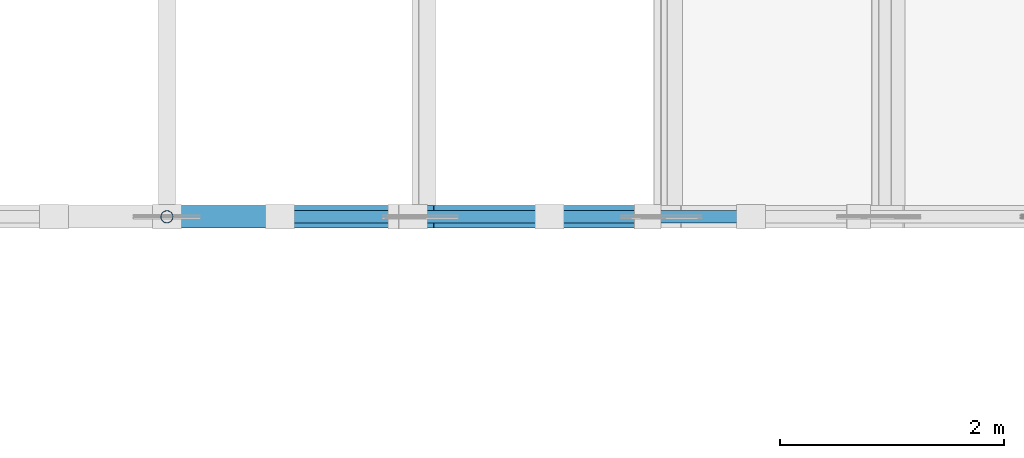
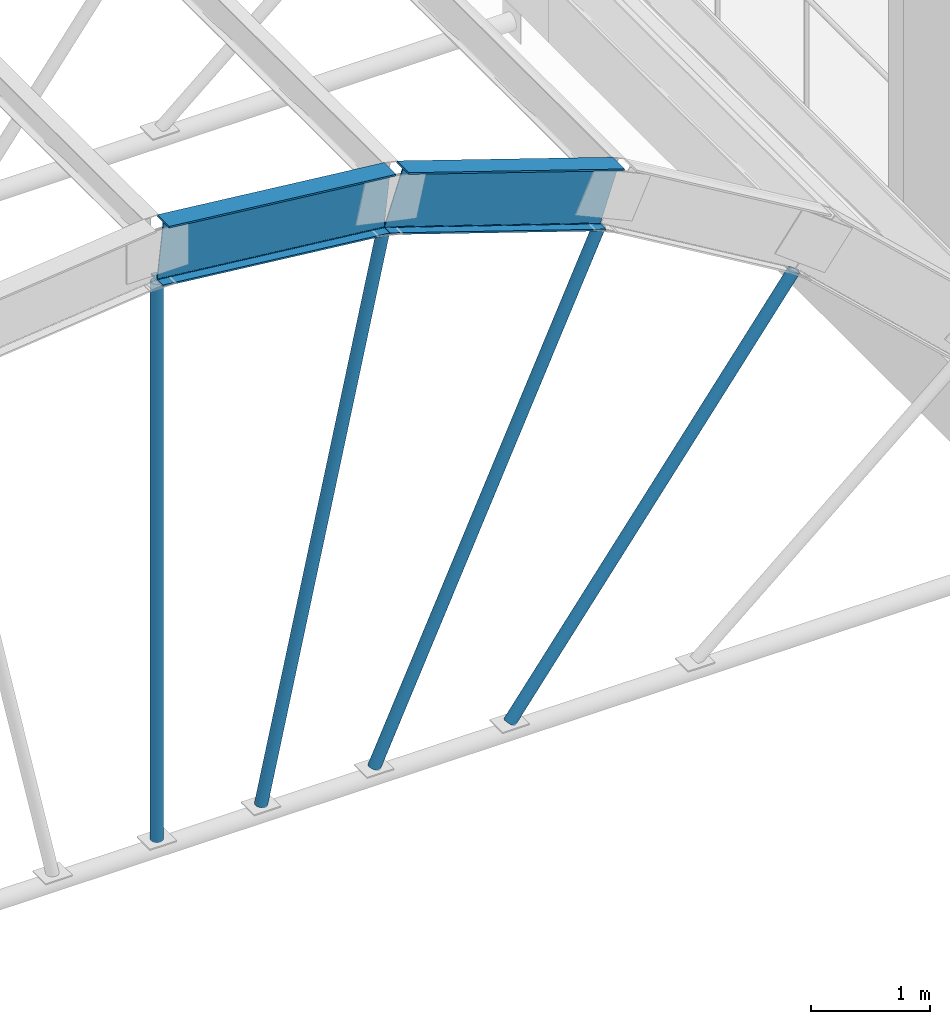
# One storey, part 10 of 79: 4 members, 2 beams.
"""IFC4 building model written with IfcOpenShell, lengths in metres."""

from ifc_helpers import new_model, si_unit, direction, frame, origin, origin_2d, place, context, subcontext, project, spatial, hollow_circle, i_section, extrude, material, material_profile, profile_set, type_object, element, save


model = new_model("IFC4")

# Units and contexts
model_context = context("Model", 3, precision=1e-05, world=origin(), true_north=direction((0.0, 1.0)))
body_context = subcontext(model_context, "Body", "Model", "MODEL_VIEW")
ifc_project = project(units=[si_unit("LENGTHUNIT", "METRE"), si_unit("AREAUNIT", "SQUARE_METRE"), si_unit("VOLUMEUNIT", "CUBIC_METRE"), si_unit("PLANEANGLEUNIT", "RADIAN"), si_unit("MASSUNIT", "GRAM", prefix="KILO")], contexts=[model_context])

# Site, building, storey
site_placement = place(None, origin())
site = spatial("IfcSite", under=ifc_project, at=site_placement, CompositionType="ELEMENT")
building_placement = place(site_placement, origin())
building = spatial("IfcBuilding", under=site, at=building_placement, Name="Guidao Yard Department Store", CompositionType="ELEMENT")
storey_placement = place(building_placement, frame((0.0, 0.0, 15.0)))
storey = spatial("IfcBuildingStorey", under=building, at=storey_placement, Name="L03", CompositionType="ELEMENT", Elevation=15.0)

# Members
ifc_material_1 = material(Name="Steel Q355B", Category="steel")
ifc_material_profile_1 = material_profile(ifc_material_1, hollow_circle(Radius=0.056884765625, WallThickness=0.006103515625, at=origin_2d()), Name="CHS 114x6")
ifc_profile_set_1 = profile_set([ifc_material_profile_1], Name="Steel Q355B")
member_type = type_object("IfcMemberType", Name="CHS 114x6", PredefinedType="BRACE", material=ifc_profile_set_1)
member_1_placement = place(storey_placement, frame((90.0, 45.0, -0.360107421875), z_axis=(0.0, 0.0, 1.0), x_axis=(1.0, 0.0, 0.0)))
element("IfcMember", 1, at=member_1_placement, inside=storey, type_object=member_type, Name="Roof web strut C01-05", PredefinedType="BRACE", context=body_context, shape_type="SweptSolid", body=[
    extrude(hollow_circle(Radius=0.056884765625, WallThickness=0.006103515625, at=origin_2d()), origin(), (0.0, 0.0, 1.0), 5.72705078125),
])
member_2_placement = place(storey_placement, frame((91.01123046875, 45.0, -0.360107421875), z_axis=(0.211899287995, 0.0, 0.977291508071), x_axis=(0.0, 1.0, 0.0)))
element("IfcMember", 2, at=member_2_placement, inside=storey, type_object=member_type, Name="Roof web strut C01-06", PredefinedType="BRACE", context=body_context, shape_type="SweptSolid", body=[
    extrude(hollow_circle(Radius=0.056884765625, WallThickness=0.006103515625, at=origin_2d()), origin(), (0.0, 0.0, 1.0), 5.619140625),
])
member_3_placement = place(storey_placement, frame((92.109130859375, 45.0, -0.360107421875), z_axis=(0.415142377249, 0.0, 0.909756454559), x_axis=(0.0, 1.0, 0.0)))
element("IfcMember", 3, at=member_3_placement, inside=storey, type_object=member_type, Name="Roof web strut C01-07", PredefinedType="BRACE", context=body_context, shape_type="SweptSolid", body=[
    extrude(hollow_circle(Radius=0.056884765625, WallThickness=0.006103515625, at=origin_2d()), origin(), (0.0, 0.0, 1.0), 5.271728515625),
])
member_4_placement = place(storey_placement, frame((93.424072265625, 45.0, -0.360107421875), z_axis=(0.600934318152, 0.0, 0.799298408147), x_axis=(0.0, 1.0, 0.0)))
element("IfcMember", 4, at=member_4_placement, inside=storey, type_object=member_type, Name="Roof web strut C01-08", PredefinedType="BRACE", context=body_context, shape_type="SweptSolid", body=[
    extrude(hollow_circle(Radius=0.056884765625, WallThickness=0.006103515625, at=origin_2d()), origin(), (0.0, 0.0, 1.0), 4.596923828125),
])

# Beams
ifc_material_2 = material(Name="Steel Q355B", Category="steel")
ifc_material_profile_2 = material_profile(ifc_material_2, i_section(OverallWidth=0.199951171875, OverallDepth=0.60009765625, WebThickness=0.010986328125, FlangeThickness=0.01708984375, FilletRadius=0.012939453125, at=origin_2d()), Name="HN 600x200x11x17")
ifc_profile_set_2 = profile_set([ifc_material_profile_2], Name="Steel Q355B")
beam_type = type_object("IfcBeamType", Name="HN 600x200x11x17", PredefinedType="BEAM", material=ifc_profile_set_2)
beam_1_placement = place(storey_placement, frame((90.031982421875, 45.0, 5.665283203125), z_axis=(0.994311656362, 0.0, -0.10650976492), x_axis=(0.0, 1.0, 0.0)))
element("IfcBeam", 5, at=beam_1_placement, inside=storey, type_object=beam_type, Name="Roof rib C01-06", PredefinedType="BEAM", context=body_context, shape_type="SweptSolid", body=[
    extrude(i_section(OverallWidth=0.199951171875, OverallDepth=0.60009765625, WebThickness=0.010986328125, FlangeThickness=0.01708984375, FilletRadius=0.012939453125, at=origin_2d()), origin(), (0.0, 0.0, 1.0), 2.21435546875),
])
beam_2_placement = place(storey_placement, frame((92.29638671875, 45.0, 5.416015625), z_axis=(0.949091595418, 0.0, -0.31500022779), x_axis=(0.0, 1.0, 0.0)))
element("IfcBeam", 6, at=beam_2_placement, inside=storey, type_object=beam_type, Name="Roof rib C01-07", PredefinedType="BEAM", context=body_context, shape_type="SweptSolid", body=[
    extrude(i_section(OverallWidth=0.199951171875, OverallDepth=0.60009765625, WebThickness=0.010986328125, FlangeThickness=0.01708984375, FilletRadius=0.012939453125, at=origin_2d()), origin(), (0.0, 0.0, 1.0), 2.2080078125),
])

save(model, "model.ifc")
